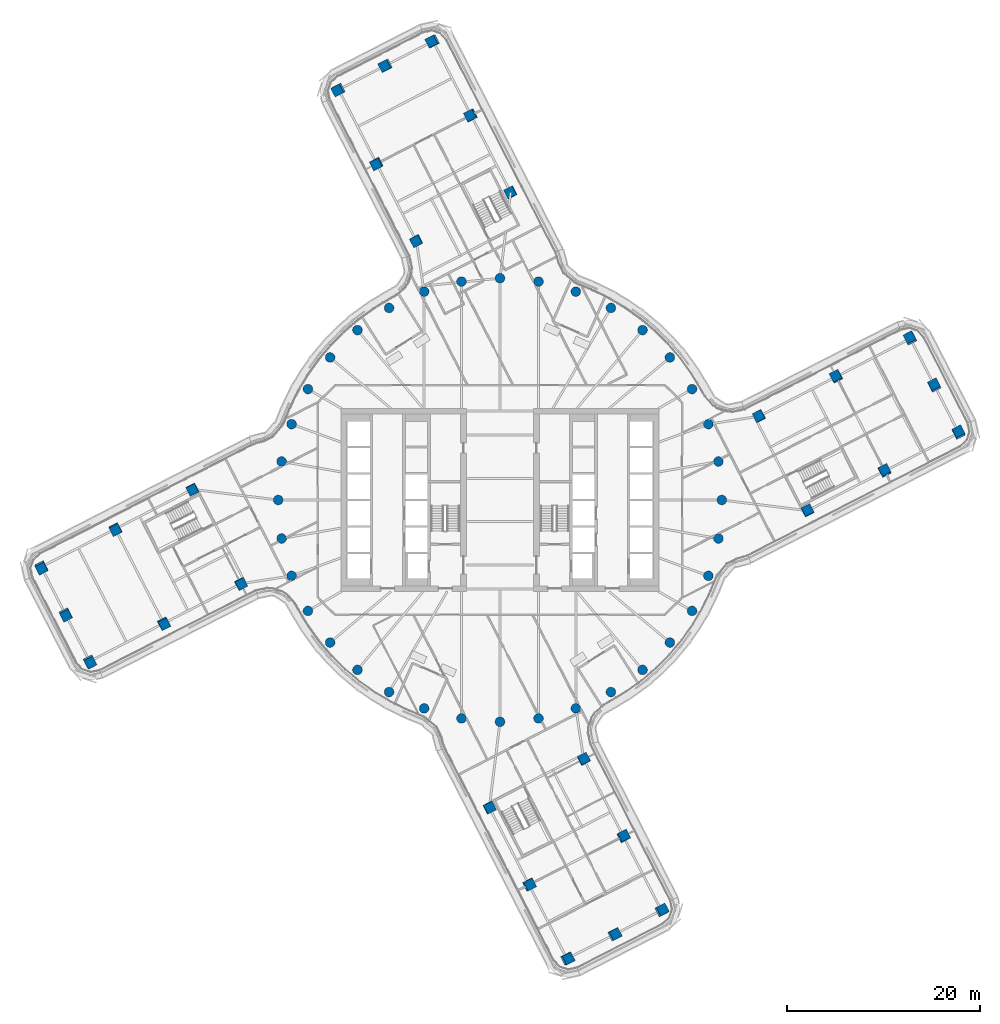
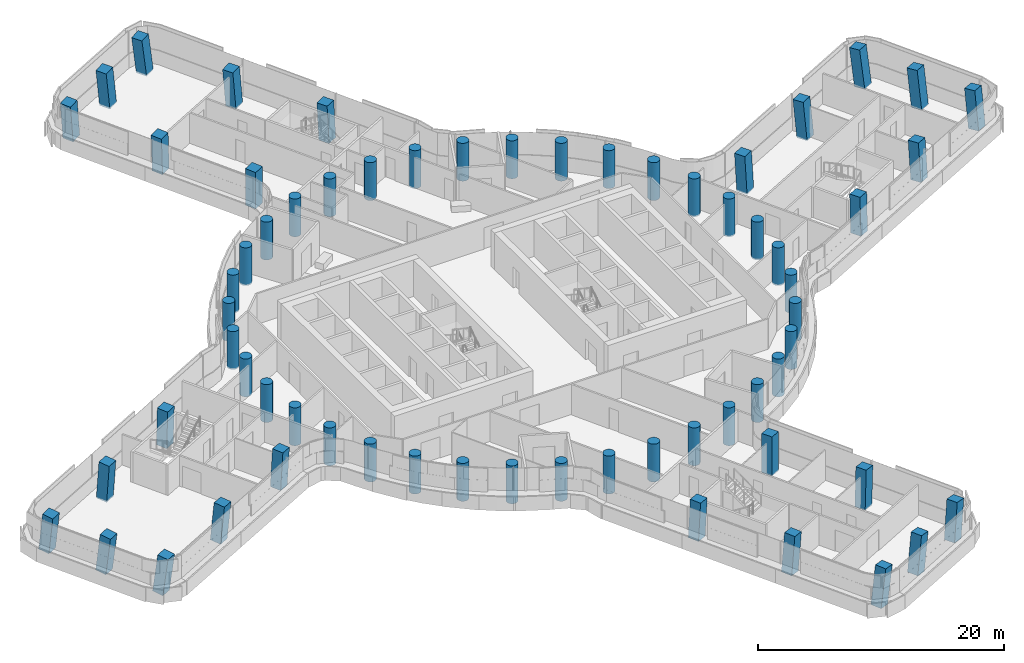
# One storey, part 1 of 37: 64 columns.
"""IFC4 building model written with IfcOpenShell, lengths in metres."""

from ifc_helpers import new_model, si_unit, direction, frame, origin, origin_2d, place, context, subcontext, project, spatial, rectangle, circle, extrude, material, material_profile, profile_set, type_object, element, save


model = new_model("IFC4")

# Units and contexts
model_context = context("Model", 3, precision=1e-05, world=origin(), true_north=direction((0.0, 1.0)))
body_context = subcontext(model_context, "Body", "Model", "MODEL_VIEW")
ifc_project = project(units=[si_unit("LENGTHUNIT", "METRE"), si_unit("AREAUNIT", "SQUARE_METRE"), si_unit("VOLUMEUNIT", "CUBIC_METRE"), si_unit("PLANEANGLEUNIT", "RADIAN"), si_unit("MASSUNIT", "GRAM", prefix="KILO")], contexts=[model_context])

# Site, building, storey
site_placement = place(None, origin())
site = spatial("IfcSite", under=ifc_project, at=site_placement, CompositionType="ELEMENT")
building_placement = place(site_placement, origin())
building = spatial("IfcBuilding", under=site, at=building_placement, Name="Tamarind Cross Interchange Tower", CompositionType="ELEMENT")
storey_placement = place(building_placement, frame((0.0, 0.0, 133.0)))
storey = spatial("IfcBuildingStorey", under=building, at=storey_placement, Name="L32", CompositionType="ELEMENT", Elevation=133.0)

# Columns
ifc_material = material(Name="Concrete C60", Category="concrete")
ifc_material_profile_1 = material_profile(ifc_material, rectangle(XDim=1.0, YDim=1.0, at=origin_2d()), Name="RC 1000x1000")
ifc_profile_set_1 = profile_set([ifc_material_profile_1], Name="Concrete C60")
column_type_1 = type_object("IfcColumnType", Name="Column RC 1000x1000 Concrete C60", PredefinedType="COLUMN", material=ifc_profile_set_1)
column_1_placement = place(storey_placement, frame((34.88037109375, 12.7919921875, -0.133544921875), z_axis=(-0.062521773916, 0.061871859426, 0.996123938472), x_axis=(0.453556116001, -0.887299968667, 0.083579993069)))
element("IfcColumn", 1, at=column_1_placement, inside=storey, type_object=column_type_1, Name="Column L32-036", PredefinedType="COLUMN", context=body_context, shape_type="SweptSolid", body=[
    extrude(rectangle(XDim=1.0, YDim=1.0, at=origin_2d()), origin(), (0.0, 0.0, 1.0), 3.756591796875),
])
column_2_placement = place(storey_placement, frame((39.902587890625, 3.005615234375, -0.134033203125), z_axis=(-0.015336055459, 0.086557736741, 0.996128788668), x_axis=(-0.889923738813, -0.455375187571, 0.025868468099)))
element("IfcColumn", 2, at=column_2_placement, inside=storey, type_object=column_type_1, Name="Column L32-037", PredefinedType="COLUMN", context=body_context, shape_type="SweptSolid", body=[
    extrude(rectangle(XDim=1.0, YDim=1.0, at=origin_2d()), origin(), (0.0, 0.0, 1.0), 3.757080078125),
])
column_3_placement = place(storey_placement, frame((26.873291015625, 8.682861328125, -0.1357421875), z_axis=(-0.042396721911, 0.023249815242, 0.99883029793), x_axis=(0.45636204272, -0.888891864763, 0.040061686479)))
element("IfcColumn", 3, at=column_3_placement, inside=storey, type_object=column_type_1, Name="Column L32-038", PredefinedType="COLUMN", context=body_context, shape_type="SweptSolid", body=[
    extrude(rectangle(XDim=1.0, YDim=1.0, at=origin_2d()), origin(), (0.0, 0.0, 1.0), 3.748779296875),
])
column_4_placement = place(storey_placement, frame((31.8955078125, -1.103759765625, -0.135986328125), z_axis=(0.004949211766, 0.048124572307, 0.998829079895), x_axis=(-0.889858610868, -0.455474581289, 0.026354477116)))
element("IfcColumn", 4, at=column_4_placement, inside=storey, type_object=column_type_1, Name="Column L32-039", PredefinedType="COLUMN", context=body_context, shape_type="SweptSolid", body=[
    extrude(rectangle(XDim=1.0, YDim=1.0, at=origin_2d()), origin(), (0.0, 0.0, 1.0), 3.7490234375),
])
column_5_placement = place(storey_placement, frame((47.58251953125, 6.947021484375, -0.13134765625), z_axis=(-0.021573490305, 0.130025765362, 0.991275887358), x_axis=(-0.890036848371, -0.454113091891, 0.04019587435)))
element("IfcColumn", 5, at=column_5_placement, inside=storey, type_object=column_type_1, Name="Column L32-040", PredefinedType="COLUMN", context=body_context, shape_type="SweptSolid", body=[
    extrude(rectangle(XDim=1.0, YDim=1.0, at=origin_2d()), origin(), (0.0, 0.0, 1.0), 3.757080078125),
])
column_6_placement = place(storey_placement, frame((45.0712890625, 11.840087890625, -0.132568359375), z_axis=(-0.045053158792, 0.117801332946, 0.992014646484), x_axis=(-0.890031586101, -0.455693217506, 0.013691868468)))
element("IfcColumn", 6, at=column_6_placement, inside=storey, type_object=column_type_1, Name="Column L32-041", PredefinedType="COLUMN", context=body_context, shape_type="SweptSolid", body=[
    extrude(rectangle(XDim=1.0, YDim=1.0, at=origin_2d()), origin(), (0.0, 0.0, 1.0), 3.75537109375),
])
column_7_placement = place(storey_placement, frame((42.56005859375, 16.7333984375, -0.132080078125), z_axis=(-0.068538826824, 0.105474361583, 0.992057250498), x_axis=(0.452121084233, -0.883135905889, 0.125129920171)))
element("IfcColumn", 7, at=column_7_placement, inside=storey, type_object=column_type_1, Name="Column L32-042", PredefinedType="COLUMN", context=body_context, shape_type="SweptSolid", body=[
    extrude(rectangle(XDim=1.0, YDim=1.0, at=origin_2d()), origin(), (0.0, 0.0, 1.0), 3.75439453125),
])
column_8_placement = place(storey_placement, frame((-12.7919921875, 34.88037109375, -0.133544921875), z_axis=(-0.061871859426, -0.062521773916, 0.996123938472), x_axis=(0.887299968667, 0.453556116001, 0.083579993069)))
element("IfcColumn", 8, at=column_8_placement, inside=storey, type_object=column_type_1, Name="Column L32-043", PredefinedType="COLUMN", context=body_context, shape_type="SweptSolid", body=[
    extrude(rectangle(XDim=1.0, YDim=1.0, at=origin_2d()), origin(), (0.0, 0.0, 1.0), 3.756591796875),
])
column_9_placement = place(storey_placement, frame((-3.005615234375, 39.902587890625, -0.134033203125), z_axis=(-0.086557736741, -0.015336055459, 0.996128788668), x_axis=(0.455375187571, -0.889923738813, 0.025868468099)))
element("IfcColumn", 9, at=column_9_placement, inside=storey, type_object=column_type_1, Name="Column L32-044", PredefinedType="COLUMN", context=body_context, shape_type="SweptSolid", body=[
    extrude(rectangle(XDim=1.0, YDim=1.0, at=origin_2d()), origin(), (0.0, 0.0, 1.0), 3.757080078125),
])
column_10_placement = place(storey_placement, frame((-8.682861328125, 26.873291015625, -0.1357421875), z_axis=(-0.023249815242, -0.042396721911, 0.99883029793), x_axis=(0.888891864763, 0.45636204272, 0.040061686479)))
element("IfcColumn", 10, at=column_10_placement, inside=storey, type_object=column_type_1, Name="Column L32-045", PredefinedType="COLUMN", context=body_context, shape_type="SweptSolid", body=[
    extrude(rectangle(XDim=1.0, YDim=1.0, at=origin_2d()), origin(), (0.0, 0.0, 1.0), 3.748779296875),
])
column_11_placement = place(storey_placement, frame((1.103759765625, 31.8955078125, -0.135986328125), z_axis=(-0.048124572307, 0.004949211766, 0.998829079895), x_axis=(0.455474581289, -0.889858610868, 0.026354477116)))
element("IfcColumn", 11, at=column_11_placement, inside=storey, type_object=column_type_1, Name="Column L32-046", PredefinedType="COLUMN", context=body_context, shape_type="SweptSolid", body=[
    extrude(rectangle(XDim=1.0, YDim=1.0, at=origin_2d()), origin(), (0.0, 0.0, 1.0), 3.7490234375),
])
column_12_placement = place(storey_placement, frame((-6.947021484375, 47.58251953125, -0.13134765625), z_axis=(-0.130025765362, -0.021573490305, 0.991275887358), x_axis=(0.454113091891, -0.890036848371, 0.04019587435)))
element("IfcColumn", 12, at=column_12_placement, inside=storey, type_object=column_type_1, Name="Column L32-047", PredefinedType="COLUMN", context=body_context, shape_type="SweptSolid", body=[
    extrude(rectangle(XDim=1.0, YDim=1.0, at=origin_2d()), origin(), (0.0, 0.0, 1.0), 3.757080078125),
])
column_13_placement = place(storey_placement, frame((-11.840087890625, 45.0712890625, -0.132568359375), z_axis=(-0.117801332946, -0.045053158792, 0.992014646484), x_axis=(0.455693217506, -0.890031586101, 0.013691868468)))
element("IfcColumn", 13, at=column_13_placement, inside=storey, type_object=column_type_1, Name="Column L32-048", PredefinedType="COLUMN", context=body_context, shape_type="SweptSolid", body=[
    extrude(rectangle(XDim=1.0, YDim=1.0, at=origin_2d()), origin(), (0.0, 0.0, 1.0), 3.75537109375),
])
column_14_placement = place(storey_placement, frame((-16.7333984375, 42.56005859375, -0.132080078125), z_axis=(-0.105474361583, -0.068538826824, 0.992057250498), x_axis=(0.883135905889, 0.452121084233, 0.125129920171)))
element("IfcColumn", 14, at=column_14_placement, inside=storey, type_object=column_type_1, Name="Column L32-049", PredefinedType="COLUMN", context=body_context, shape_type="SweptSolid", body=[
    extrude(rectangle(XDim=1.0, YDim=1.0, at=origin_2d()), origin(), (0.0, 0.0, 1.0), 3.75439453125),
])
column_15_placement = place(storey_placement, frame((-34.88037109375, -12.7919921875, -0.133544921875), z_axis=(0.062521773916, -0.061871859426, 0.996123938472), x_axis=(-0.453556116001, 0.887299968667, 0.083579993069)))
element("IfcColumn", 15, at=column_15_placement, inside=storey, type_object=column_type_1, Name="Column L32-050", PredefinedType="COLUMN", context=body_context, shape_type="SweptSolid", body=[
    extrude(rectangle(XDim=1.0, YDim=1.0, at=origin_2d()), origin(), (0.0, 0.0, 1.0), 3.756591796875),
])
column_16_placement = place(storey_placement, frame((-39.902587890625, -3.005615234375, -0.134033203125), z_axis=(0.015336055459, -0.086557736741, 0.996128788668), x_axis=(0.889923738813, 0.455375187571, 0.025868468099)))
element("IfcColumn", 16, at=column_16_placement, inside=storey, type_object=column_type_1, Name="Column L32-051", PredefinedType="COLUMN", context=body_context, shape_type="SweptSolid", body=[
    extrude(rectangle(XDim=1.0, YDim=1.0, at=origin_2d()), origin(), (0.0, 0.0, 1.0), 3.757080078125),
])
column_17_placement = place(storey_placement, frame((-26.873291015625, -8.682861328125, -0.1357421875), z_axis=(0.042396721911, -0.023249815242, 0.99883029793), x_axis=(-0.45636204272, 0.888891864763, 0.040061686479)))
element("IfcColumn", 17, at=column_17_placement, inside=storey, type_object=column_type_1, Name="Column L32-052", PredefinedType="COLUMN", context=body_context, shape_type="SweptSolid", body=[
    extrude(rectangle(XDim=1.0, YDim=1.0, at=origin_2d()), origin(), (0.0, 0.0, 1.0), 3.748779296875),
])
column_18_placement = place(storey_placement, frame((-31.8955078125, 1.103759765625, -0.135986328125), z_axis=(-0.004949211766, -0.048124572307, 0.998829079895), x_axis=(0.889858610868, 0.455474581289, 0.026354477116)))
element("IfcColumn", 18, at=column_18_placement, inside=storey, type_object=column_type_1, Name="Column L32-053", PredefinedType="COLUMN", context=body_context, shape_type="SweptSolid", body=[
    extrude(rectangle(XDim=1.0, YDim=1.0, at=origin_2d()), origin(), (0.0, 0.0, 1.0), 3.7490234375),
])
column_19_placement = place(storey_placement, frame((-47.58251953125, -6.947021484375, -0.13134765625), z_axis=(0.021573490305, -0.130025765362, 0.991275887358), x_axis=(0.890036848371, 0.454113091891, 0.04019587435)))
element("IfcColumn", 19, at=column_19_placement, inside=storey, type_object=column_type_1, Name="Column L32-054", PredefinedType="COLUMN", context=body_context, shape_type="SweptSolid", body=[
    extrude(rectangle(XDim=1.0, YDim=1.0, at=origin_2d()), origin(), (0.0, 0.0, 1.0), 3.757080078125),
])
column_20_placement = place(storey_placement, frame((-45.0712890625, -11.840087890625, -0.132568359375), z_axis=(0.045053158792, -0.117801332946, 0.992014646484), x_axis=(0.890031586101, 0.455693217506, 0.013691868468)))
element("IfcColumn", 20, at=column_20_placement, inside=storey, type_object=column_type_1, Name="Column L32-055", PredefinedType="COLUMN", context=body_context, shape_type="SweptSolid", body=[
    extrude(rectangle(XDim=1.0, YDim=1.0, at=origin_2d()), origin(), (0.0, 0.0, 1.0), 3.75537109375),
])
column_21_placement = place(storey_placement, frame((-42.56005859375, -16.7333984375, -0.132080078125), z_axis=(0.068538826824, -0.105474361583, 0.992057250498), x_axis=(-0.452121084233, 0.883135905889, 0.125129920171)))
element("IfcColumn", 21, at=column_21_placement, inside=storey, type_object=column_type_1, Name="Column L32-056", PredefinedType="COLUMN", context=body_context, shape_type="SweptSolid", body=[
    extrude(rectangle(XDim=1.0, YDim=1.0, at=origin_2d()), origin(), (0.0, 0.0, 1.0), 3.75439453125),
])
column_22_placement = place(storey_placement, frame((12.7919921875, -34.88037109375, -0.133544921875), z_axis=(0.061871859426, 0.062521773916, 0.996123938472), x_axis=(-0.887299968667, -0.453556116001, 0.083579993069)))
element("IfcColumn", 22, at=column_22_placement, inside=storey, type_object=column_type_1, Name="Column L32-057", PredefinedType="COLUMN", context=body_context, shape_type="SweptSolid", body=[
    extrude(rectangle(XDim=1.0, YDim=1.0, at=origin_2d()), origin(), (0.0, 0.0, 1.0), 3.756591796875),
])
column_23_placement = place(storey_placement, frame((3.005615234375, -39.902587890625, -0.134033203125), z_axis=(0.086557736741, 0.015336055459, 0.996128788668), x_axis=(-0.455375187571, 0.889923738813, 0.025868468099)))
element("IfcColumn", 23, at=column_23_placement, inside=storey, type_object=column_type_1, Name="Column L32-058", PredefinedType="COLUMN", context=body_context, shape_type="SweptSolid", body=[
    extrude(rectangle(XDim=1.0, YDim=1.0, at=origin_2d()), origin(), (0.0, 0.0, 1.0), 3.757080078125),
])
column_24_placement = place(storey_placement, frame((8.682861328125, -26.873291015625, -0.1357421875), z_axis=(0.023249815242, 0.042396721911, 0.99883029793), x_axis=(-0.888891864763, -0.45636204272, 0.040061686479)))
element("IfcColumn", 24, at=column_24_placement, inside=storey, type_object=column_type_1, Name="Column L32-059", PredefinedType="COLUMN", context=body_context, shape_type="SweptSolid", body=[
    extrude(rectangle(XDim=1.0, YDim=1.0, at=origin_2d()), origin(), (0.0, 0.0, 1.0), 3.748779296875),
])
column_25_placement = place(storey_placement, frame((-1.103759765625, -31.8955078125, -0.135986328125), z_axis=(0.048124572307, -0.004949211766, 0.998829079895), x_axis=(-0.455474581289, 0.889858610868, 0.026354477116)))
element("IfcColumn", 25, at=column_25_placement, inside=storey, type_object=column_type_1, Name="Column L32-060", PredefinedType="COLUMN", context=body_context, shape_type="SweptSolid", body=[
    extrude(rectangle(XDim=1.0, YDim=1.0, at=origin_2d()), origin(), (0.0, 0.0, 1.0), 3.7490234375),
])
column_26_placement = place(storey_placement, frame((6.947021484375, -47.58251953125, -0.13134765625), z_axis=(0.130025765362, 0.021573490305, 0.991275887358), x_axis=(-0.454113091891, 0.890036848371, 0.04019587435)))
element("IfcColumn", 26, at=column_26_placement, inside=storey, type_object=column_type_1, Name="Column L32-061", PredefinedType="COLUMN", context=body_context, shape_type="SweptSolid", body=[
    extrude(rectangle(XDim=1.0, YDim=1.0, at=origin_2d()), origin(), (0.0, 0.0, 1.0), 3.757080078125),
])
column_27_placement = place(storey_placement, frame((11.840087890625, -45.0712890625, -0.132568359375), z_axis=(0.117801332946, 0.045053158792, 0.992014646484), x_axis=(-0.455693217506, 0.890031586101, 0.013691868468)))
element("IfcColumn", 27, at=column_27_placement, inside=storey, type_object=column_type_1, Name="Column L32-062", PredefinedType="COLUMN", context=body_context, shape_type="SweptSolid", body=[
    extrude(rectangle(XDim=1.0, YDim=1.0, at=origin_2d()), origin(), (0.0, 0.0, 1.0), 3.75537109375),
])
column_28_placement = place(storey_placement, frame((16.7333984375, -42.56005859375, -0.132080078125), z_axis=(0.105474361583, 0.068538826824, 0.992057250498), x_axis=(-0.883135905889, -0.452121084233, 0.125129920171)))
element("IfcColumn", 28, at=column_28_placement, inside=storey, type_object=column_type_1, Name="Column L32-063", PredefinedType="COLUMN", context=body_context, shape_type="SweptSolid", body=[
    extrude(rectangle(XDim=1.0, YDim=1.0, at=origin_2d()), origin(), (0.0, 0.0, 1.0), 3.75439453125),
])
ifc_material_profile_2 = material_profile(ifc_material, circle(Radius=0.5, at=origin_2d()), Name="RC D1000")
ifc_profile_set_2 = profile_set([ifc_material_profile_2], Name="Concrete C60")
column_type_2 = type_object("IfcColumnType", Name="Column RC D1000 Concrete C60", PredefinedType="COLUMN", material=ifc_profile_set_2)
for number, where, z_axis, x_axis, name in (
    (29, (23.0, 0.0, -0.139892578125), (0.0, 0.0, 1.0), (1.0, 0.0, 0.0), "Column L32-000"),
    (30, (22.650634765625, 3.993896484375, -0.139892578125), (0.0, 0.0, 1.0), (1.0, 0.0, 0.0), "Column L32-001"),
    (31, (21.613037109375, 7.866455078125, -0.139892578125), (0.0, 0.0, 1.0), (1.0, 0.0, 0.0), "Column L32-002"),
    (32, (19.918701171875, 11.5, -0.139892578125), (0.0, 0.0, 1.0), (1.0, 0.0, 0.0), "Column L32-003"),
    (33, (17.619140625, 14.7841796875, -0.139892578125), (0.0, 0.0, 1.0), (1.0, 0.0, 0.0), "Column L32-004"),
    (34, (14.7841796875, 17.619140625, -0.139892578125), (0.0, 0.0, 1.0), (1.0, 0.0, 0.0), "Column L32-005"),
    (35, (11.5, 19.918701171875, -0.139892578125), (0.0, 0.0, 1.0), (1.0, 0.0, 0.0), "Column L32-006"),
    (36, (7.866455078125, 21.613037109375, -0.139892578125), (0.0, 0.0, 1.0), (1.0, 0.0, 0.0), "Column L32-007"),
    (37, (3.993896484375, 22.650634765625, -0.139892578125), (0.0, 0.0, 1.0), (1.0, 0.0, 0.0), "Column L32-008"),
    (38, (0.0, 23.0, -0.139892578125), (0.0, 0.0, 1.0), (1.0, 0.0, 0.0), "Column L32-009"),
    (39, (-3.993896484375, 22.650634765625, -0.139892578125), (0.0, 0.0, 1.0), (1.0, 0.0, 0.0), "Column L32-010"),
    (40, (-7.866455078125, 21.613037109375, -0.139892578125), (0.0, 0.0, 1.0), (1.0, 0.0, 0.0), "Column L32-011"),
    (41, (-11.5, 19.918701171875, -0.139892578125), (0.0, 0.0, 1.0), (1.0, 0.0, 0.0), "Column L32-012"),
    (42, (-14.7841796875, 17.619140625, -0.139892578125), (0.0, 0.0, 1.0), (1.0, 0.0, 0.0), "Column L32-013"),
    (43, (-17.619140625, 14.7841796875, -0.139892578125), (0.0, 0.0, 1.0), (1.0, 0.0, 0.0), "Column L32-014"),
    (44, (-19.918701171875, 11.5, -0.139892578125), (0.0, 0.0, 1.0), (1.0, 0.0, 0.0), "Column L32-015"),
    (45, (-21.613037109375, 7.866455078125, -0.139892578125), (0.0, 0.0, 1.0), (1.0, 0.0, 0.0), "Column L32-016"),
    (46, (-22.650634765625, 3.993896484375, -0.139892578125), (0.0, 0.0, 1.0), (1.0, 0.0, 0.0), "Column L32-017"),
    (47, (-23.0, 0.0, -0.139892578125), (0.0, 0.0, 1.0), (1.0, 0.0, 0.0), "Column L32-018"),
    (48, (-22.650634765625, -3.993896484375, -0.139892578125), (0.0, 0.0, 1.0), (1.0, 0.0, 0.0), "Column L32-019"),
    (49, (-21.613037109375, -7.866455078125, -0.139892578125), (0.0, 0.0, 1.0), (1.0, 0.0, 0.0), "Column L32-020"),
    (50, (-19.918701171875, -11.5, -0.139892578125), (0.0, 0.0, 1.0), (1.0, 0.0, 0.0), "Column L32-021"),
    (51, (-17.619140625, -14.7841796875, -0.139892578125), (0.0, 0.0, 1.0), (1.0, 0.0, 0.0), "Column L32-022"),
    (52, (-14.7841796875, -17.619140625, -0.139892578125), (0.0, 0.0, 1.0), (1.0, 0.0, 0.0), "Column L32-023"),
    (53, (-11.5, -19.918701171875, -0.139892578125), (0.0, 0.0, 1.0), (1.0, 0.0, 0.0), "Column L32-024"),
    (54, (-7.866455078125, -21.613037109375, -0.139892578125), (0.0, 0.0, 1.0), (1.0, 0.0, 0.0), "Column L32-025"),
    (55, (-3.993896484375, -22.650634765625, -0.139892578125), (0.0, 0.0, 1.0), (1.0, 0.0, 0.0), "Column L32-026"),
    (56, (0.0, -23.0, -0.139892578125), (0.0, 0.0, 1.0), (1.0, 0.0, 0.0), "Column L32-027"),
    (57, (3.993896484375, -22.650634765625, -0.139892578125), (0.0, 0.0, 1.0), (1.0, 0.0, 0.0), "Column L32-028"),
    (58, (7.866455078125, -21.613037109375, -0.139892578125), (0.0, 0.0, 1.0), (1.0, 0.0, 0.0), "Column L32-029"),
    (59, (11.5, -19.918701171875, -0.139892578125), (0.0, 0.0, 1.0), (1.0, 0.0, 0.0), "Column L32-030"),
    (60, (14.7841796875, -17.619140625, -0.139892578125), (0.0, 0.0, 1.0), (1.0, 0.0, 0.0), "Column L32-031"),
    (61, (17.619140625, -14.7841796875, -0.139892578125), (0.0, 0.0, 1.0), (1.0, 0.0, 0.0), "Column L32-032"),
    (62, (19.918701171875, -11.5, -0.139892578125), (0.0, 0.0, 1.0), (1.0, 0.0, 0.0), "Column L32-033"),
    (63, (21.613037109375, -7.866455078125, -0.139892578125), (0.0, 0.0, 1.0), (1.0, 0.0, 0.0), "Column L32-034"),
    (64, (22.650634765625, -3.993896484375, -0.139892578125), (0.0, 0.0, 1.0), (1.0, 0.0, 0.0), "Column L32-035"),
):
    element("IfcColumn", number, at=place(storey_placement, frame(where, z_axis=z_axis, x_axis=x_axis)), inside=storey, type_object=column_type_2, Name=name, PredefinedType="COLUMN", context=body_context, shape_type="SweptSolid", body=[
        extrude(circle(Radius=0.5, at=origin_2d()), origin(), (0.0, 0.0, 1.0), 3.75),
    ])

save(model, "model.ifc")
